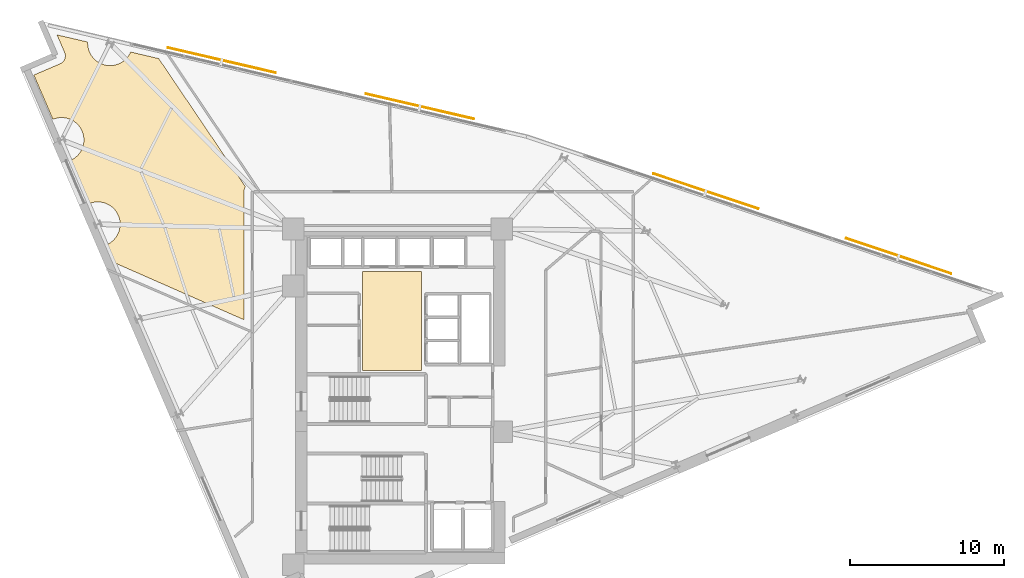
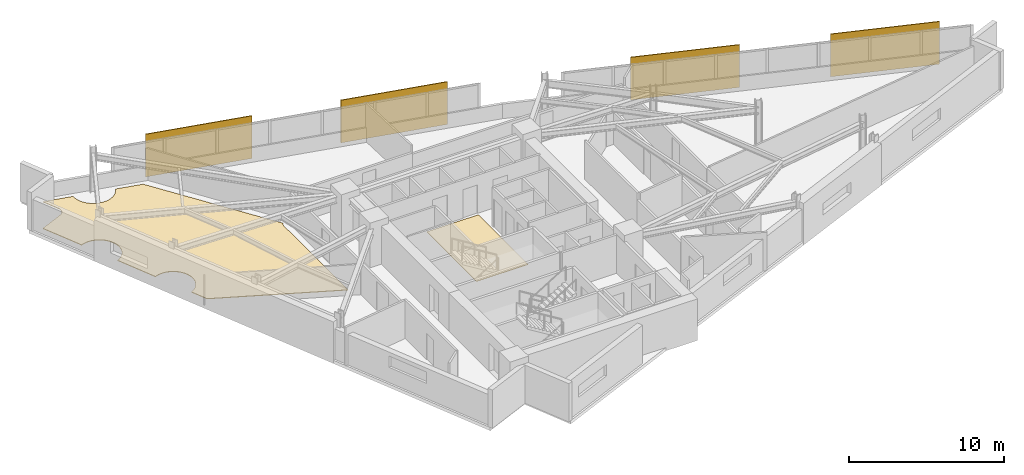
# One storey, part 14 of 14: 4 shading devices, 2 coverings.
"""IFC4 building model written with IfcOpenShell, lengths in metres."""

import ifcopenshell
import ifcopenshell.guid

model = None  # the IFC model being written
_history = None  # IfcOwnerHistory: only IFC2X3 demands one
_inside = {}  # id of a spatial element -> (the spatial element, [elements in it])
_under = {}  # id of a project, library or spatial element -> (it, [spatial elements below it])
_declared = {}  # id of a project -> (the project, [libraries it declares])
_typed = {}  # id of a type object -> (the type object, [elements of that type])
_made_of = {}  # id of a material, layer set ... -> (it, [elements and type objects made of it])


def new_model(schema):
    """Start an empty IFC model of exactly this schema.

    Asked for "IFC4X3", IfcOpenShell would pick the latest addendum, in which some entities
    have other attributes; the version numbers below select the first issue.
    IFC2X3 requires an IfcOwnerHistory on every rooted entity: one is made here for all.
    """
    global model, _history
    if schema == "IFC4X3":
        model = ifcopenshell.file(schema_version=(4, 3, 0, 0))
    else:
        model = ifcopenshell.file(schema=schema)
    _inside.clear()
    _under.clear()
    _declared.clear()
    _typed.clear()
    _made_of.clear()
    _history = None
    if model.schema == "IFC2X3":
        org = make("IfcOrganization", Name="unknown")
        user = make(
            "IfcPersonAndOrganization",
            ThePerson=make("IfcPerson", FamilyName="unknown"),
            TheOrganization=org,
        )
        app = make(
            "IfcApplication",
            ApplicationDeveloper=org,
            Version="unknown",
            ApplicationFullName="unknown",
            ApplicationIdentifier="unknown",
        )
        _history = make(
            "IfcOwnerHistory",
            OwningUser=user,
            OwningApplication=app,
            ChangeAction="ADDED",
            CreationDate=0,
        )
    return model


def make(cls, **values):
    """One entity of the class cls with the attributes given. An attribute that is None is left unset."""
    return model.create_entity(
        cls, **{name: value for name, value in values.items() if value is not None}
    )


def rooted(cls, **values):
    """An entity with a GlobalId (a new one), such as an element, a storey or a relation."""
    return make(cls, GlobalId=ifcopenshell.guid.new(), OwnerHistory=_history, **values)


def si_unit(unit_type, name, prefix=None):
    """IfcSIUnit, for example si_unit("LENGTHUNIT", "METRE", prefix="MILLI")."""
    return make("IfcSIUnit", UnitType=unit_type, Prefix=prefix, Name=name)


def assignment(units):
    """IfcUnitAssignment: the units of a project."""
    return None if units is None else make("IfcUnitAssignment", Units=units)


def point(xyz):
    """IfcCartesianPoint."""
    return None if xyz is None else make("IfcCartesianPoint", Coordinates=xyz)


def direction(xyz):
    """IfcDirection."""
    return None if xyz is None else make("IfcDirection", DirectionRatios=xyz)


def frame(location, z_axis=None, x_axis=None):
    """IfcAxis2Placement3D, a coordinate frame: its origin and axes. An axis left out is left unset."""
    return make(
        "IfcAxis2Placement3D",
        Location=point(location),
        Axis=direction(z_axis),
        RefDirection=direction(x_axis),
    )


def frame_2d(location, x_axis=None):
    """IfcAxis2Placement2D, a coordinate frame in the plane: its origin and x axis."""
    return make(
        "IfcAxis2Placement2D", Location=point(location), RefDirection=direction(x_axis)
    )


def origin():
    """The frame at (0, 0, 0) with its axes left unset."""
    return frame((0.0, 0.0, 0.0))


def origin_2d():
    """The frame at (0, 0) in the plane with its x axis left unset."""
    return frame_2d((0.0, 0.0))


def place(relative_to, where):
    """IfcLocalPlacement: puts the frame where relative to a parent placement (None: the world)."""
    return make(
        "IfcLocalPlacement", PlacementRelTo=relative_to, RelativePlacement=where
    )


def context(
    kind, dimensions, precision=None, world=None, true_north=None, identifier=None
):
    """IfcGeometricRepresentationContext, for example the 3D "Model" context."""
    return make(
        "IfcGeometricRepresentationContext",
        ContextIdentifier=identifier,
        ContextType=kind,
        CoordinateSpaceDimension=dimensions,
        Precision=precision,
        WorldCoordinateSystem=world,
        TrueNorth=true_north,
    )


def subcontext(parent, identifier, kind, view, scale=None):
    """IfcGeometricRepresentationSubContext, for example "Body" below "Model"."""
    return make(
        "IfcGeometricRepresentationSubContext",
        ContextIdentifier=identifier,
        ContextType=kind,
        ParentContext=parent,
        TargetScale=scale,
        TargetView=view,
    )


def project(units=None, contexts=None):
    """IfcProject with its units and contexts."""
    return rooted(
        "IfcProject",
        Name="project",
        RepresentationContexts=contexts,
        UnitsInContext=assignment(units),
    )


def spatial(cls, under=None, at=None, **own):
    """A site, building, storey or space (cls), placed at a placement, below another one or the project."""
    s = rooted(cls, ObjectPlacement=at, **own)
    if under is not None:
        _under.setdefault(under.id(), (under, []))[1].append(s)
    return s


def polyline(points):
    """IfcPolyline through the points."""
    return make("IfcPolyline", Points=[point(p) for p in points])


def profile(cls, at=None, kind="AREA", **sizes):
    """A parametric profile (cls). Its sizes go by their IFC names, for example OverallWidth=200.0."""
    return make(cls, ProfileType=kind, Position=at, **sizes)


def rectangle(**sizes):
    """IfcRectangleProfileDef."""
    return profile("IfcRectangleProfileDef", **sizes)


def outline(outer, holes=None, kind="AREA"):
    """IfcArbitraryClosedProfileDef: a profile drawn as a closed curve; with holes, ...WithVoids."""
    if holes is None:
        return make("IfcArbitraryClosedProfileDef", ProfileType=kind, OuterCurve=outer)
    return make(
        "IfcArbitraryProfileDefWithVoids",
        ProfileType=kind,
        OuterCurve=outer,
        InnerCurves=holes,
    )


def extrude(swept, where, along, depth):
    """IfcExtrudedAreaSolid: the profile swept, set in the frame where, extruded along a direction by depth."""
    return make(
        "IfcExtrudedAreaSolid",
        SweptArea=swept,
        Position=where,
        ExtrudedDirection=direction(along),
        Depth=depth,
    )


def shape(context_of_items, identifier, shape_type, items):
    """IfcShapeRepresentation: the items that make up one representation, for example the "Body"."""
    return make(
        "IfcShapeRepresentation",
        ContextOfItems=context_of_items,
        RepresentationIdentifier=identifier,
        RepresentationType=shape_type,
        Items=items,
    )


def material(Name=None, Category=None):
    """IfcMaterial."""
    return make("IfcMaterial", Name=Name, Category=Category)


def layer(
    of_material, thickness, ventilated=None, Name=None, Category=None, Priority=None
):
    """IfcMaterialLayer: one layer of a wall or slab, of a material (None: an air gap)."""
    return make(
        "IfcMaterialLayer",
        Material=of_material,
        LayerThickness=thickness,
        IsVentilated=ventilated,
        Name=Name,
        Category=Category,
        Priority=Priority,
    )


def layer_set(layers, Name=None):
    """IfcMaterialLayerSet."""
    return make("IfcMaterialLayerSet", MaterialLayers=layers, LayerSetName=Name)


def made_of(thing, what):
    """Note that an element or type object is made of a material, layer set ...; save() writes the relation."""
    if what is not None:
        _made_of.setdefault(what.id(), (what, []))[1].append(thing)
    return thing


def type_object(cls, material=None, **own):
    """A type object (cls), such as IfcWallType, which elements share."""
    return made_of(rooted(cls, **own), material)


def element(
    cls,
    number,
    at=None,
    inside=None,
    cuts=None,
    type_object=None,
    material=None,
    context=None,
    identifier="Body",
    shape_type=None,
    held_by="IfcProductDefinitionShape",
    body=None,
    shapes=None,
    **own,
):
    """One element of the class cls, such as IfcWall. Its Tag is "e" and its number.

    at: its placement. inside: the storey or other place that contains it. cuts: it is an
    opening in that element (IfcRelVoidsElement). A single representation is given by context,
    identifier, shape_type and body (its items); several are given by shapes. held_by: the class
    of the entity that holds the representations. save() writes the other relations.
    """
    e = rooted(cls, Tag="e%d" % number, ObjectPlacement=at, **own)
    if body is not None:
        shapes = [shape(context, identifier, shape_type, body)]
    if shapes is not None:
        e.Representation = make(held_by, Representations=shapes)
    if inside is not None:
        _inside.setdefault(inside.id(), (inside, []))[1].append(e)
    if cuts is not None:
        rooted(
            "IfcRelVoidsElement", RelatingBuildingElement=cuts, RelatedOpeningElement=e
        )
    if type_object is not None:
        _typed.setdefault(type_object.id(), (type_object, []))[1].append(e)
    return made_of(e, material)


def aggregate(whole, parts):
    """IfcRelAggregates: a whole, such as a stair, and the parts it consists of."""
    return rooted("IfcRelAggregates", RelatingObject=whole, RelatedObjects=parts)


def save(model, path):
    """Write the relations noted so far, then the file.

    IfcRelAggregates (storeys below a building ...), IfcRelContainedInSpatialStructure (elements
    in a storey), IfcRelDefinesByType, IfcRelAssociatesMaterial and IfcRelDeclares: one each for
    every whole, place, type object, material and project.
    """
    for whole, parts in _under.values():
        aggregate(whole, parts)
    for where, things in _inside.values():
        rooted(
            "IfcRelContainedInSpatialStructure",
            RelatedElements=things,
            RelatingStructure=where,
        )
    for kind, things in _typed.values():
        rooted("IfcRelDefinesByType", RelatedObjects=things, RelatingType=kind)
    for what, things in _made_of.values():
        rooted("IfcRelAssociatesMaterial", RelatedObjects=things, RelatingMaterial=what)
    for by, libraries in _declared.values():
        rooted("IfcRelDeclares", RelatingContext=by, RelatedDefinitions=libraries)
    model.write(path)


model = new_model("IFC4")

# Units and contexts
model_context = context("Model", 3, precision=1e-05, world=origin(), true_north=direction((0.0, 1.0)))
body_context = subcontext(model_context, "Body", "Model", "MODEL_VIEW")
ifc_project = project(units=[si_unit("LENGTHUNIT", "METRE"), si_unit("AREAUNIT", "SQUARE_METRE"), si_unit("VOLUMEUNIT", "CUBIC_METRE"), si_unit("PLANEANGLEUNIT", "RADIAN"), si_unit("MASSUNIT", "GRAM", prefix="KILO")], contexts=[model_context])

# Site, building, storey
site_placement = place(None, origin())
site = spatial("IfcSite", under=ifc_project, at=site_placement, CompositionType="ELEMENT")
building_placement = place(site_placement, origin())
building = spatial("IfcBuilding", under=site, at=building_placement, Name="Narakoshi Arena Tower", CompositionType="ELEMENT")
storey_placement = place(building_placement, frame((0.0, 0.0, 193.179931640625)))
storey = spatial("IfcBuildingStorey", under=building, at=storey_placement, Name="L52", CompositionType="ELEMENT", Elevation=193.179931640625)

# Coverings
ifc_material_1 = material(Name="Raised steel access floor panel", Category="steel")
ifc_layer_1 = layer(ifc_material_1, 0.044921875)
ifc_layer_set_1 = layer_set([ifc_layer_1], Name="Raised steel access floor panel")
covering_type_1 = type_object("IfcCoveringType", Name="COV-FLR-RF45", PredefinedType="FLOORING", material=ifc_layer_set_1)
covering_1_placement = place(storey_placement, origin())
element("IfcCovering", 1, at=covering_1_placement, inside=storey, type_object=covering_type_1, Name="L52 Raised Steel Access Floor", PredefinedType="FLOORING", context=body_context, shape_type="SweptSolid", body=[
    extrude(outline(polyline([(56.937255859375, 67.25), (56.983154296875, 67.2783203125), (57.02587890625, 67.31103515625), (57.065673828125, 67.347900390625), (57.101318359375, 67.38818359375), (57.1328125, 67.431884765625), (57.159912109375, 67.478759765625), (57.182373046875, 67.52783203125), (57.199951171875, 67.578857421875), (57.21240234375, 67.63134765625), (57.219482421875, 67.684814453125), (57.2216796875, 67.73876953125), (57.21826171875, 67.792724609375), (57.209716796875, 67.845947265625), (57.19580078125, 67.898193359375), (57.177001953125, 67.94873046875), (56.6845703125, 69.0947265625), (58.675537109375, 68.631103515625), (58.671630859375, 68.55126953125), (58.6787109375, 68.4091796875), (58.69970703125, 68.268310546875), (58.734130859375, 68.13037109375), (58.781982421875, 67.996337890625), (58.843017578125, 67.867919921875), (58.916015625, 67.74560546875), (59.000732421875, 67.63134765625), (59.096435546875, 67.52587890625), (59.201904296875, 67.430419921875), (59.316162109375, 67.345703125), (59.438232421875, 67.2724609375), (59.56689453125, 67.211669921875), (59.70068359375, 67.163818359375), (59.8388671875, 67.129150390625), (59.9794921875, 67.1083984375), (60.12158203125, 67.101318359375), (60.263916015625, 67.1083984375), (60.404541015625, 67.129150390625), (60.54248046875, 67.163818359375), (60.676513671875, 67.211669921875), (60.80517578125, 67.2724609375), (60.92724609375, 67.345703125), (61.04150390625, 67.430419921875), (61.14697265625, 67.52587890625), (61.24267578125, 67.63134765625), (61.327392578125, 67.74560546875), (61.400390625, 67.867919921875), (61.45556640625, 67.984130859375), (63.2822265625, 67.558837890625), (68.90625, 59.23681640625), (68.9052734375, 59.235595703125), (68.87744140625, 59.189208984375), (68.8544921875, 59.140380859375), (68.836181640625, 59.089599609375), (68.822998046875, 59.037353515625), (68.815185546875, 58.98388671875), (68.8125, 58.929931640625), (68.8125, 50.608642578125), (60.412109375, 54.304931640625), (59.9072265625, 55.480224609375), (60.009521484375, 55.528564453125), (60.131591796875, 55.601806640625), (60.24609375, 55.6865234375), (60.351318359375, 55.781982421875), (60.447021484375, 55.887451171875), (60.53173828125, 56.001708984375), (60.60498046875, 56.123779296875), (60.665771484375, 56.25244140625), (60.713623046875, 56.386474609375), (60.748291015625, 56.5244140625), (60.76904296875, 56.665283203125), (60.776123046875, 56.807373046875), (60.76904296875, 56.949462890625), (60.748291015625, 57.09033203125), (60.713623046875, 57.228271484375), (60.665771484375, 57.3623046875), (60.60498046875, 57.490966796875), (60.53173828125, 57.613037109375), (60.447021484375, 57.727294921875), (60.351318359375, 57.832763671875), (60.24609375, 57.92822265625), (60.131591796875, 58.012939453125), (60.009521484375, 58.086181640625), (59.881103515625, 58.14697265625), (59.7470703125, 58.195068359375), (59.60888671875, 58.2294921875), (59.46826171875, 58.25048828125), (59.326171875, 58.25732421875), (59.18408203125, 58.25048828125), (59.043212890625, 58.2294921875), (58.9052734375, 58.195068359375), (58.771240234375, 58.14697265625), (58.76318359375, 58.143310546875), (57.556640625, 60.951416015625), (57.6591796875, 60.999755859375), (57.78125, 61.072998046875), (57.8955078125, 61.15771484375), (58.0009765625, 61.253173828125), (58.096435546875, 61.358642578125), (58.18115234375, 61.472900390625), (58.25439453125, 61.594970703125), (58.315185546875, 61.7236328125), (58.36328125, 61.857666015625), (58.397705078125, 61.99560546875), (58.418701171875, 62.136474609375), (58.425537109375, 62.278564453125), (58.418701171875, 62.420654296875), (58.397705078125, 62.561279296875), (58.36328125, 62.699462890625), (58.315185546875, 62.83349609375), (58.25439453125, 62.9619140625), (58.18115234375, 63.083984375), (58.096435546875, 63.198486328125), (58.0009765625, 63.3037109375), (57.8955078125, 63.3994140625), (57.78125, 63.484130859375), (57.6591796875, 63.557373046875), (57.530517578125, 63.6181640625), (57.396484375, 63.666015625), (57.258544921875, 63.70068359375), (57.11767578125, 63.721435546875), (56.9755859375, 63.728515625), (56.83349609375, 63.721435546875), (56.692626953125, 63.70068359375), (56.5546875, 63.666015625), (56.420654296875, 63.6181640625), (56.41259765625, 63.6142578125), (55.1767578125, 66.49072265625), (56.888671875, 67.226318359375), (56.937255859375, 67.25)])), origin(), (0.0, 0.0, 1.0), 0.045166015625),
])
ifc_material_2 = material(Name="Honed granite stone paving", Category="masonry")
ifc_layer_2 = layer(ifc_material_2, 0.030029296875)
ifc_layer_set_2 = layer_set([ifc_layer_2], Name="Honed granite stone paving")
covering_type_2 = type_object("IfcCoveringType", Name="COV-FLR-ST30", PredefinedType="FLOORING", material=ifc_layer_set_2)
covering_2_placement = place(storey_placement, origin())
element("IfcCovering", 2, at=covering_2_placement, inside=storey, type_object=covering_type_2, Name="L52 Lift Lobby Granite Flooring", PredefinedType="FLOORING", context=body_context, shape_type="SweptSolid", body=[
    extrude(outline(polyline([(76.5, 47.300048828125), (80.35009765625, 47.300048828125), (80.35009765625, 53.75), (76.5, 53.75), (76.5, 47.300048828125)])), origin(), (0.0, 0.0, 1.0), 0.030029296875),
])

# Shading devices
ifc_material_3 = material(Name="Perforated bronze ceramic-metal composite")
ifc_layer_3 = layer(ifc_material_3, 0.06005859375)
ifc_layer_set_3 = layer_set([ifc_layer_3], Name="Perforated bronze ceramic-metal composite")
shading_device_type = type_object("IfcShadingDeviceType", Name="SHD-SCR-BRZ2", PredefinedType="USERDEFINED", material=ifc_layer_set_3)
for number, where, z_axis, x_axis, name in (
    (3, (111.30126953125, 54.747314453125, 0.0), (0.0, 0.0, 1.0), (-0.948001964735, 0.318264473134, 0.0), "L52 Perforated Bronze Solar Screen 1-1"),
    (4, (98.78759765625, 58.948486328125, 0.0), (0.0, 0.0, 1.0), (-0.948001964735, 0.318264473134, 0.0), "L52 Perforated Bronze Solar Screen 1-2"),
    (5, (80.23193359375, 64.455078125, 0.0), (0.0, 0.0, 1.0), (-0.973960141659, 0.226719303234, 0.0), "L52 Perforated Bronze Solar Screen 2-1"),
    (6, (67.37548828125, 67.447998046875, 0.0), (0.0, 0.0, 1.0), (-0.973960141659, 0.226719303234, 0.0), "L52 Perforated Bronze Solar Screen 2-2"),
):
    element("IfcShadingDevice", number, at=place(storey_placement, frame(where, z_axis=z_axis, x_axis=x_axis)), inside=storey, type_object=shading_device_type, Name=name, ObjectType="SOLAR SCREEN", PredefinedType="USERDEFINED", context=body_context, shape_type="SweptSolid", body=[
        extrude(rectangle(XDim=7.199951171875, YDim=0.06005859375, at=origin_2d()), origin(), (0.0, 0.0, 1.0), 3.3701171875),
    ])

save(model, "model.ifc")
